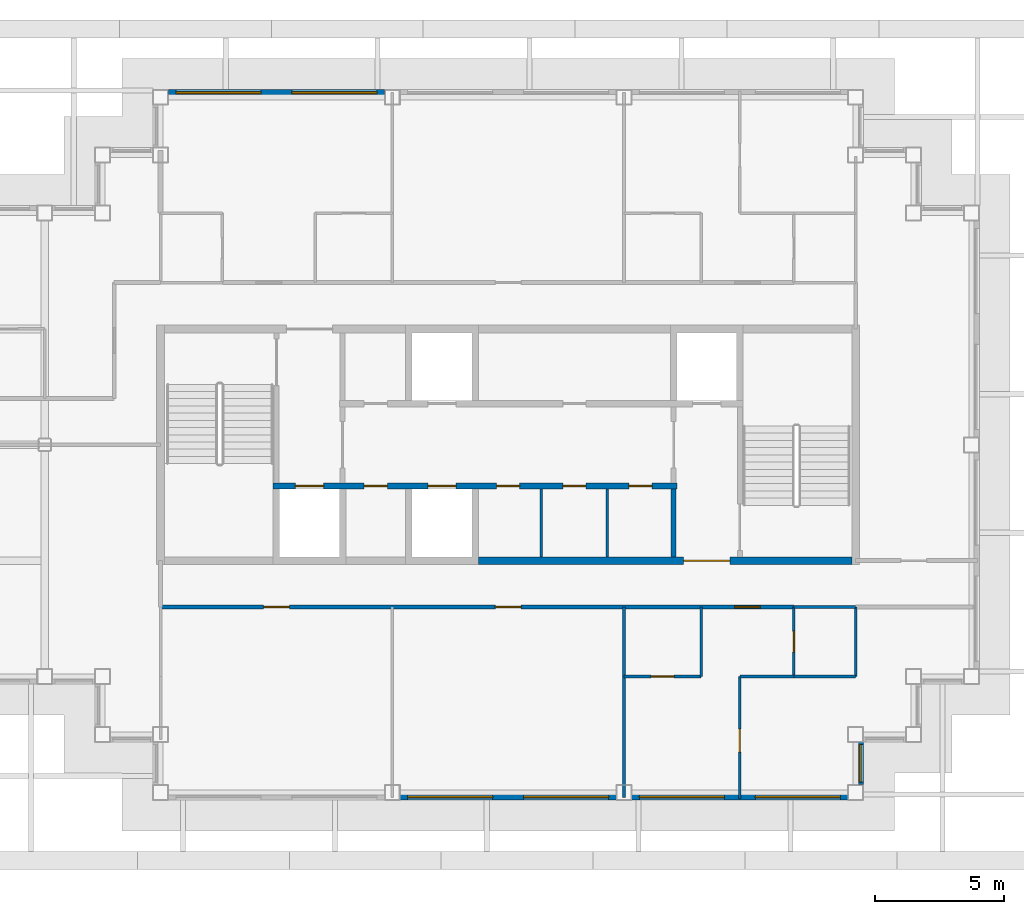
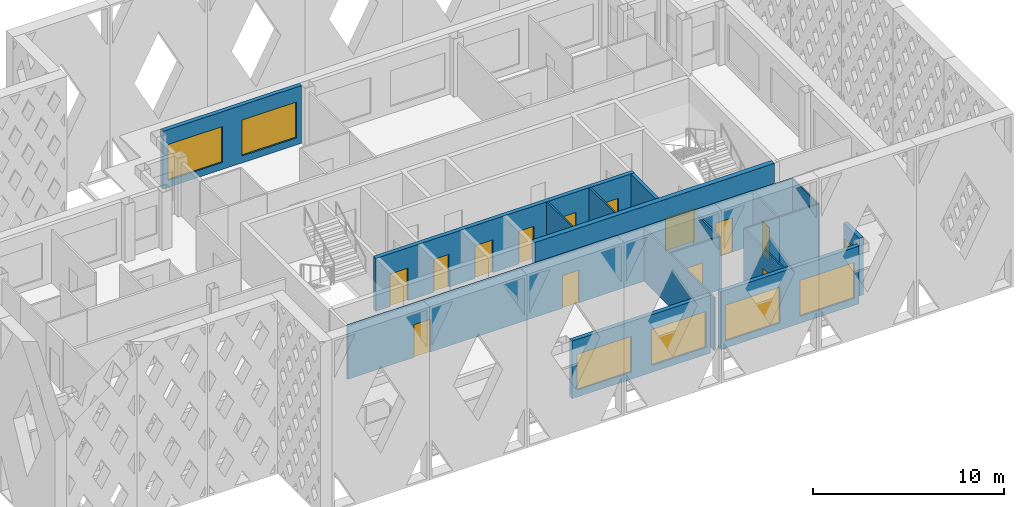
# One storey, part 4 of 13: 19 walls, 13 doors, 7 windows, 20 openings.
"""IFC4 building model written with IfcOpenShell, lengths in metres."""

from ifc_helpers import new_model, si_unit, direction, frame, frame_2d, origin, place, context, subcontext, project, spatial, rectangle, extrude, material, layer, layer_set, type_object, element, fill, save


model = new_model("IFC4")

# Units and contexts
model_context = context("Model", 3, precision=1e-05, world=origin(), true_north=direction((0.0, 1.0)))
body_context = subcontext(model_context, "Body", "Model", "MODEL_VIEW")
ifc_project = project(units=[si_unit("LENGTHUNIT", "METRE"), si_unit("AREAUNIT", "SQUARE_METRE"), si_unit("VOLUMEUNIT", "CUBIC_METRE"), si_unit("PLANEANGLEUNIT", "RADIAN"), si_unit("MASSUNIT", "GRAM", prefix="KILO")], contexts=[model_context])

# Site, building, storey
site_placement = place(None, origin())
site = spatial("IfcSite", under=ifc_project, at=site_placement, CompositionType="ELEMENT")
building_placement = place(site_placement, origin())
building = spatial("IfcBuilding", under=site, at=building_placement, Name="Caravel Reach Hotel and Residences", CompositionType="ELEMENT")
storey_placement = place(building_placement, frame((0.0, 0.0, 267.5)))
storey = spatial("IfcBuildingStorey", under=building, at=storey_placement, Name="L68", CompositionType="ELEMENT", Elevation=267.5)

# Walls
ifc_material_1 = material(Name="Gypsum board on steel stud", Category="steel")
ifc_layer_1 = layer(ifc_material_1, 0.10009765625)
ifc_layer_set_1 = layer_set([ifc_layer_1], Name="Bathroom pod wall 100 mm")
wall_type_1 = type_object("IfcWallType", Name="Bathroom pod wall 100 mm", PredefinedType="PARTITIONING", material=ifc_layer_set_1)
for number, where, z_axis, x_axis, name in (
    (1, (42.60009765625, 18.0, 0.0), (0.0, 0.0, 1.0), (1.0, 0.0, 0.0), "L68 wall w050"),
    (2, (42.60009765625, 20.699951171875, 0.0), (0.0, 0.0, 1.0), (1.0, 0.0, 0.0), "L68 wall w051"),
):
    element("IfcWall", number, at=place(storey_placement, frame(where, z_axis=z_axis, x_axis=x_axis)), inside=storey, type_object=wall_type_1, Name=name, PredefinedType="PARTITIONING", context=body_context, shape_type="SweptSolid", body=[
        extrude(rectangle(XDim=2.39990234375, YDim=0.10009765625, at=frame_2d((1.199951171875, 0.0))), origin(), (0.0, 0.0, 1.0), 3.39990234375),
    ])

# Wall, opening, door
wall_1_placement = place(storey_placement, frame((42.60009765625, 18.0, 0.0), z_axis=(0.0, 0.0, 1.0), x_axis=(0.0, 1.0, 0.0)))
wall_1 = element("IfcWall", 3, at=wall_1_placement, inside=storey, type_object=wall_type_1, Name="L68 wall w062", PredefinedType="PARTITIONING", context=body_context, shape_type="SweptSolid", body=[
    extrude(rectangle(XDim=2.699951171875, YDim=0.10009765625, at=frame_2d((1.35009765625, 0.0))), origin(), (0.0, 0.0, 1.0), 3.39990234375),
])
opening_1_placement = place(wall_1_placement, frame((0.949951171875, 0.0, 0.0)))
opening_1 = element("IfcOpeningElement", 4, at=opening_1_placement, cuts=wall_1, Name="Opening D68-034", PredefinedType="OPENING", context=body_context, shape_type="SweptSolid", body=[
    extrude(rectangle(XDim=0.800048828125, YDim=2.10009765625, at=frame_2d((0.39990234375, 1.050048828125))), frame((0.0, 0.06005859375, 0.0), z_axis=(0.0, -1.0, 0.0), x_axis=(1.0, 0.0, 0.0)), (0.0, 0.0, 1.0), 0.1201171875),
])
ifc_material_2 = material(Name="Timber and steel door leaf", Category="steel")
door_type_1 = type_object("IfcDoorType", Name="Bathroom door 800 x 2100", OperationType="SINGLE_SWING_LEFT", PredefinedType="DOOR", material=ifc_material_2)
door_1_placement = place(opening_1_placement, origin())
door_1 = element("IfcDoor", 5, at=door_1_placement, inside=storey, type_object=door_type_1, Name="door D68-034", OperationType="SINGLE_SWING_LEFT", OverallHeight=2.10009765625, OverallWidth=0.800048828125, PredefinedType="DOOR", context=body_context, shape_type="SweptSolid", body=[
    extrude(rectangle(XDim=0.800048828125, YDim=2.10009765625, at=frame_2d((0.39990234375, 1.050048828125))), frame((0.0, 0.02490234375, 0.0), z_axis=(0.0, -1.0, 0.0), x_axis=(1.0, 0.0, 0.0)), (0.0, 0.0, 1.0), 0.050048828125),
])
fill(opening_1, door_1)

# Walls
wall_2_placement = place(storey_placement, frame((45.0, 18.0, 0.0), z_axis=(0.0, 0.0, 1.0), x_axis=(0.0, 1.0, 0.0)))
element("IfcWall", 6, at=wall_2_placement, inside=storey, type_object=wall_type_1, Name="L68 wall w064", PredefinedType="PARTITIONING", context=body_context, shape_type="SweptSolid", body=[
    extrude(rectangle(XDim=2.698974609375, YDim=0.10009765625, at=frame_2d((1.349609375, 0.0))), origin(), (0.0, 0.0, 1.0), 3.39990234375),
])
ifc_material_3 = material(Name="Autoclaved aerated block wall")
ifc_layer_2 = layer(ifc_material_3, 0.199951171875)
ifc_layer_set_2 = layer_set([ifc_layer_2], Name="Compartment wall 200 mm EI 120")
wall_type_2 = type_object("IfcWallType", Name="Compartment wall 200 mm EI 120", PredefinedType="PARTITIONING", material=ifc_layer_set_2)
wall_3_placement = place(storey_placement, frame((37.928466796875, 22.64990234375, 0.0), z_axis=(0.0, 0.0, 1.0), x_axis=(0.0, 1.0, 0.0)))
element("IfcWall", 7, at=wall_3_placement, inside=storey, type_object=wall_type_2, Name="L68 store partition", PredefinedType="PARTITIONING", context=body_context, shape_type="SweptSolid", body=[
    extrude(rectangle(XDim=2.625, YDim=0.199951171875, at=frame_2d((1.3125, 0.0))), origin(), (0.0, 0.0, 1.0), 3.39990234375),
])

# Wall, opening, door
ifc_material_4 = material(Name="Concrete C60", Category="concrete")
ifc_layer_3 = layer(ifc_material_4, 0.300048828125)
ifc_layer_set_3 = layer_set([ifc_layer_3], Name="Core wall 300 mm EI 120")
wall_type_3 = type_object("IfcWallType", Name="Core wall 300 mm EI 120", PredefinedType="SHEAR", material=ifc_layer_set_3)
wall_4_placement = place(storey_placement, frame((30.33935546875, 22.5, 0.0), z_axis=(0.0, 0.0, 1.0), x_axis=(1.0, 0.0, 0.0)))
wall_4 = element("IfcWall", 8, at=wall_4_placement, inside=storey, type_object=wall_type_3, Name="L68 core wall S3", PredefinedType="SHEAR", context=body_context, shape_type="SweptSolid", body=[
    extrude(rectangle(XDim=14.5107421875, YDim=0.300048828125, at=frame_2d((7.25537109375, 0.0))), origin(), (0.0, 0.0, 1.0), 3.39990234375),
])
opening_2_placement = place(wall_4_placement, frame((7.97509765625, 0.0, 0.0)))
opening_2 = element("IfcOpeningElement", 9, at=opening_2_placement, cuts=wall_4, Name="Opening D68-016", PredefinedType="OPENING", context=body_context, shape_type="SweptSolid", body=[
    extrude(rectangle(XDim=1.800048828125, YDim=2.10009765625, at=frame_2d((0.89990234375, 1.050048828125))), frame((0.0, 0.159912109375, 0.0), z_axis=(0.0, -1.0, 0.0), x_axis=(1.0, 0.0, 0.0)), (0.0, 0.0, 1.0), 0.320068359375),
])
ifc_material_5 = material(Name="Steel fire door leaf", Category="steel")
door_type_2 = type_object("IfcDoorType", Name="Fire lobby door pair 1800 x 2100 EI 90", OperationType="DOUBLE_DOOR_SINGLE_SWING", PredefinedType="DOOR", material=ifc_material_5)
door_2_placement = place(opening_2_placement, origin())
door_2 = element("IfcDoor", 10, at=door_2_placement, inside=storey, type_object=door_type_2, Name="lobby S door pair to corridor", OperationType="DOUBLE_DOOR_SINGLE_SWING", OverallHeight=2.10009765625, OverallWidth=1.800048828125, PredefinedType="DOOR", context=body_context, shape_type="SweptSolid", body=[
    extrude(rectangle(XDim=1.800048828125, YDim=2.10009765625, at=frame_2d((0.89990234375, 1.050048828125))), frame((0.0, 0.02490234375, 0.0), z_axis=(0.0, -1.0, 0.0), x_axis=(1.0, 0.0, 0.0)), (0.0, 0.0, 1.0), 0.050048828125),
])
fill(opening_2, door_2)

# Wall, openings, doors
ifc_material_6 = material(Name="Gypsum board on steel stud, fire-rated", Category="steel")
ifc_layer_4 = layer(ifc_material_6, 0.14990234375)
ifc_layer_set_4 = layer_set([ifc_layer_4], Name="Corridor wall 150 mm EI 60")
wall_type_4 = type_object("IfcWallType", Name="Corridor wall 150 mm EI 60", PredefinedType="PARTITIONING", material=ifc_layer_set_4)
wall_5_placement = place(storey_placement, frame((18.0, 20.699951171875, 0.0), z_axis=(0.0, 0.0, 1.0), x_axis=(1.0, 0.0, 0.0)))
wall_5 = element("IfcWall", 11, at=wall_5_placement, inside=storey, type_object=wall_type_4, Name="L68 wall w001", PredefinedType="PARTITIONING", context=body_context, shape_type="SweptSolid", body=[
    extrude(rectangle(XDim=24.60009765625, YDim=0.14990234375, at=frame_2d((12.300048828125, 0.0))), origin(), (0.0, 0.0, 1.0), 3.39990234375),
])
opening_3_placement = place(wall_5_placement, frame((4.0, 0.0, 0.0)))
opening_3 = element("IfcOpeningElement", 12, at=opening_3_placement, cuts=wall_5, Name="Opening D68-030", PredefinedType="OPENING", context=body_context, shape_type="SweptSolid", body=[
    extrude(rectangle(XDim=1.0, YDim=2.10009765625, at=frame_2d((0.5, 1.050048828125))), frame((0.0, 0.0849609375, 0.0), z_axis=(0.0, -1.0, 0.0), x_axis=(1.0, 0.0, 0.0)), (0.0, 0.0, 1.0), 0.169921875),
])
opening_4_placement = place(wall_5_placement, frame((13.0, 0.0, 0.0)))
opening_4 = element("IfcOpeningElement", 13, at=opening_4_placement, cuts=wall_5, Name="Opening D68-031", PredefinedType="OPENING", context=body_context, shape_type="SweptSolid", body=[
    extrude(rectangle(XDim=1.0, YDim=2.10009765625, at=frame_2d((0.5, 1.050048828125))), frame((0.0, 0.0849609375, 0.0), z_axis=(0.0, -1.0, 0.0), x_axis=(1.0, 0.0, 0.0)), (0.0, 0.0, 1.0), 0.169921875),
])
opening_5_placement = place(wall_5_placement, frame((22.300048828125, 0.0, 0.0)))
opening_5 = element("IfcOpeningElement", 14, at=opening_5_placement, cuts=wall_5, Name="Opening D68-032", PredefinedType="OPENING", context=body_context, shape_type="SweptSolid", body=[
    extrude(rectangle(XDim=1.0, YDim=2.199951171875, at=frame_2d((0.5, 1.10009765625))), frame((0.0, 0.0849609375, 0.0), z_axis=(0.0, -1.0, 0.0), x_axis=(1.0, 0.0, 0.0)), (0.0, 0.0, 1.0), 0.169921875),
])
ifc_material_7 = material(Name="Steel fire door leaf", Category="steel")
door_type_3 = type_object("IfcDoorType", Name="Fire door 1000 x 2100 EI 60", OperationType="SINGLE_SWING_LEFT", PredefinedType="DOOR", material=ifc_material_7)
door_3_placement = place(opening_3_placement, origin())
door_3 = element("IfcDoor", 15, at=door_3_placement, inside=storey, type_object=door_type_3, Name="door D68-030", OperationType="SINGLE_SWING_LEFT", OverallHeight=2.10009765625, OverallWidth=1.0, PredefinedType="DOOR", context=body_context, shape_type="SweptSolid", body=[
    extrude(rectangle(XDim=1.0, YDim=2.10009765625, at=frame_2d((0.5, 1.050048828125))), frame((0.0, 0.02490234375, 0.0), z_axis=(0.0, -1.0, 0.0), x_axis=(1.0, 0.0, 0.0)), (0.0, 0.0, 1.0), 0.050048828125),
])
fill(opening_3, door_3)
door_4_placement = place(opening_4_placement, origin())
door_4 = element("IfcDoor", 16, at=door_4_placement, inside=storey, type_object=door_type_3, Name="door D68-031", OperationType="SINGLE_SWING_LEFT", OverallHeight=2.10009765625, OverallWidth=1.0, PredefinedType="DOOR", context=body_context, shape_type="SweptSolid", body=[
    extrude(rectangle(XDim=1.0, YDim=2.10009765625, at=frame_2d((0.5, 1.050048828125))), frame((0.0, 0.02490234375, 0.0), z_axis=(0.0, -1.0, 0.0), x_axis=(1.0, 0.0, 0.0)), (0.0, 0.0, 1.0), 0.050048828125),
])
fill(opening_4, door_4)
ifc_material_8 = material(Name="Steel fire door leaf", Category="steel")
door_type_4 = type_object("IfcDoorType", Name="Flat entrance door 1000 x 2200 EI 60", OperationType="SINGLE_SWING_LEFT", PredefinedType="DOOR", material=ifc_material_8)
door_5_placement = place(opening_5_placement, origin())
door_5 = element("IfcDoor", 17, at=door_5_placement, inside=storey, type_object=door_type_4, Name="door D68-032", OperationType="SINGLE_SWING_LEFT", OverallHeight=2.199951171875, OverallWidth=1.0, PredefinedType="DOOR", context=body_context, shape_type="SweptSolid", body=[
    extrude(rectangle(XDim=1.0, YDim=2.199951171875, at=frame_2d((0.5, 1.10009765625))), frame((0.0, 0.02490234375, 0.0), z_axis=(0.0, -1.0, 0.0), x_axis=(1.0, 0.0, 0.0)), (0.0, 0.0, 1.0), 0.050048828125),
])
fill(opening_5, door_5)

# Wall, openings, windows
ifc_material_9 = material(Name="Insulated rainscreen wall, aluminium cladding", Category="aluminium")
ifc_layer_5 = layer(ifc_material_9, 0.25)
ifc_layer_set_5 = layer_set([ifc_layer_5], Name="EW1 Tower rainscreen wall")
wall_type_5 = type_object("IfcWallType", Name="EW1 Tower rainscreen wall", PredefinedType="SOLIDWALL", material=ifc_layer_set_5)
wall_6_placement = place(storey_placement, frame((27.300048828125, 13.324951171875, 0.0), z_axis=(0.0, 0.0, 1.0), x_axis=(1.0, 0.0, 0.0)))
wall_6 = element("IfcWall", 18, at=wall_6_placement, inside=storey, type_object=wall_type_5, Name="External wall L68 S4.2", PredefinedType="SOLIDWALL", context=body_context, shape_type="SweptSolid", body=[
    extrude(rectangle(XDim=8.39990234375, YDim=0.25, at=frame_2d((4.199951171875, 0.0))), origin(), (0.0, 0.0, 1.0), 3.699951171875),
])
opening_6_placement = place(wall_6_placement, frame((0.300048828125, 0.0, 0.449951171875)))
opening_6 = element("IfcOpeningElement", 19, at=opening_6_placement, cuts=wall_6, Name="Opening WN15", PredefinedType="OPENING", context=body_context, shape_type="SweptSolid", body=[
    extrude(rectangle(XDim=3.300048828125, YDim=2.300048828125, at=frame_2d((1.64990234375, 1.14990234375))), frame((0.0, 0.135009765625, 0.0), z_axis=(0.0, -1.0, 0.0), x_axis=(1.0, 0.0, 0.0)), (0.0, 0.0, 1.0), 0.27001953125),
])
opening_7_placement = place(wall_6_placement, frame((4.800048828125, 0.0, 0.449951171875)))
opening_7 = element("IfcOpeningElement", 20, at=opening_7_placement, cuts=wall_6, Name="Opening WN15", PredefinedType="OPENING", context=body_context, shape_type="SweptSolid", body=[
    extrude(rectangle(XDim=3.300048828125, YDim=2.300048828125, at=frame_2d((1.64990234375, 1.14990234375))), frame((0.0, 0.135009765625, 0.0), z_axis=(0.0, -1.0, 0.0), x_axis=(1.0, 0.0, 0.0)), (0.0, 0.0, 1.0), 0.27001953125),
])
ifc_material_10 = material(Name="Dark low-e glazing in black aluminium frame", Category="aluminium")
window_type_1 = type_object("IfcWindowType", Name="Residence living window 3300 x 2300", PartitioningType="SINGLE_PANEL", PredefinedType="WINDOW", material=ifc_material_10)
window_1_placement = place(opening_6_placement, origin())
window_1 = element("IfcWindow", 21, at=window_1_placement, inside=storey, type_object=window_type_1, Name="Window L68 S4.2.1", OverallHeight=2.300048828125, OverallWidth=3.300048828125, PartitioningType="SINGLE_PANEL", PredefinedType="WINDOW", context=body_context, shape_type="SweptSolid", body=[
    extrude(rectangle(XDim=3.300048828125, YDim=2.300048828125, at=frame_2d((1.64990234375, 1.14990234375))), frame((0.0, 0.030029296875, 0.0), z_axis=(0.0, -1.0, 0.0), x_axis=(1.0, 0.0, 0.0)), (0.0, 0.0, 1.0), 0.06005859375),
])
fill(opening_6, window_1)
window_2_placement = place(opening_7_placement, origin())
window_2 = element("IfcWindow", 22, at=window_2_placement, inside=storey, type_object=window_type_1, Name="Window L68 S4.2.2", OverallHeight=2.300048828125, OverallWidth=3.300048828125, PartitioningType="SINGLE_PANEL", PredefinedType="WINDOW", context=body_context, shape_type="SweptSolid", body=[
    extrude(rectangle(XDim=3.300048828125, YDim=2.300048828125, at=frame_2d((1.64990234375, 1.14990234375))), frame((0.0, 0.030029296875, 0.0), z_axis=(0.0, -1.0, 0.0), x_axis=(1.0, 0.0, 0.0)), (0.0, 0.0, 1.0), 0.06005859375),
])
fill(opening_7, window_2)

wall_7_placement = place(storey_placement, frame((36.300048828125, 13.324951171875, 0.0), z_axis=(0.0, 0.0, 1.0), x_axis=(1.0, 0.0, 0.0)))
wall_7 = element("IfcWall", 23, at=wall_7_placement, inside=storey, type_object=wall_type_5, Name="External wall L68 S4.3", PredefinedType="SOLIDWALL", context=body_context, shape_type="SweptSolid", body=[
    extrude(rectangle(XDim=8.39990234375, YDim=0.25, at=frame_2d((4.199951171875, 0.0))), origin(), (0.0, 0.0, 1.0), 3.699951171875),
])
opening_8_placement = place(wall_7_placement, frame((0.300048828125, 0.0, 0.449951171875)))
opening_8 = element("IfcOpeningElement", 24, at=opening_8_placement, cuts=wall_7, Name="Opening WN15", PredefinedType="OPENING", context=body_context, shape_type="SweptSolid", body=[
    extrude(rectangle(XDim=3.300048828125, YDim=2.300048828125, at=frame_2d((1.64990234375, 1.14990234375))), frame((0.0, 0.135009765625, 0.0), z_axis=(0.0, -1.0, 0.0), x_axis=(1.0, 0.0, 0.0)), (0.0, 0.0, 1.0), 0.27001953125),
])
opening_9_placement = place(wall_7_placement, frame((4.800048828125, 0.0, 0.449951171875)))
opening_9 = element("IfcOpeningElement", 25, at=opening_9_placement, cuts=wall_7, Name="Opening WN15", PredefinedType="OPENING", context=body_context, shape_type="SweptSolid", body=[
    extrude(rectangle(XDim=3.300048828125, YDim=2.300048828125, at=frame_2d((1.64990234375, 1.14990234375))), frame((0.0, 0.135009765625, 0.0), z_axis=(0.0, -1.0, 0.0), x_axis=(1.0, 0.0, 0.0)), (0.0, 0.0, 1.0), 0.27001953125),
])
window_3_placement = place(opening_8_placement, origin())
window_3 = element("IfcWindow", 26, at=window_3_placement, inside=storey, type_object=window_type_1, Name="Window L68 S4.3.1", OverallHeight=2.300048828125, OverallWidth=3.300048828125, PartitioningType="SINGLE_PANEL", PredefinedType="WINDOW", context=body_context, shape_type="SweptSolid", body=[
    extrude(rectangle(XDim=3.300048828125, YDim=2.300048828125, at=frame_2d((1.64990234375, 1.14990234375))), frame((0.0, 0.030029296875, 0.0), z_axis=(0.0, -1.0, 0.0), x_axis=(1.0, 0.0, 0.0)), (0.0, 0.0, 1.0), 0.06005859375),
])
fill(opening_8, window_3)
window_4_placement = place(opening_9_placement, origin())
window_4 = element("IfcWindow", 27, at=window_4_placement, inside=storey, type_object=window_type_1, Name="Window L68 S4.3.2", OverallHeight=2.300048828125, OverallWidth=3.300048828125, PartitioningType="SINGLE_PANEL", PredefinedType="WINDOW", context=body_context, shape_type="SweptSolid", body=[
    extrude(rectangle(XDim=3.300048828125, YDim=2.300048828125, at=frame_2d((1.64990234375, 1.14990234375))), frame((0.0, 0.030029296875, 0.0), z_axis=(0.0, -1.0, 0.0), x_axis=(1.0, 0.0, 0.0)), (0.0, 0.0, 1.0), 0.06005859375),
])
fill(opening_9, window_4)

# Wall, opening, window
wall_8_placement = place(storey_placement, frame((45.175048828125, 13.800048828125, 0.0), z_axis=(0.0, 0.0, 1.0), x_axis=(0.0, 1.0, 0.0)))
wall_8 = element("IfcWall", 28, at=wall_8_placement, inside=storey, type_object=wall_type_5, Name="External wall L68 E5.1", PredefinedType="SOLIDWALL", context=body_context, shape_type="SweptSolid", body=[
    extrude(rectangle(XDim=1.64990234375, YDim=0.25, at=frame_2d((0.824951171875, 0.0))), origin(), (0.0, 0.0, 1.0), 3.699951171875),
])
opening_10_placement = place(wall_8_placement, frame((0.10009765625, 0.0, 0.89990234375)))
opening_10 = element("IfcOpeningElement", 29, at=opening_10_placement, cuts=wall_8, Name="Opening WN25", PredefinedType="OPENING", context=body_context, shape_type="SweptSolid", body=[
    extrude(rectangle(XDim=1.449951171875, YDim=1.85009765625, at=frame_2d((0.72509765625, 0.925048828125))), frame((0.0, 0.135009765625, 0.0), z_axis=(0.0, -1.0, 0.0), x_axis=(1.0, 0.0, 0.0)), (0.0, 0.0, 1.0), 0.27001953125),
])
ifc_material_11 = material(Name="Dark low-e glazing in black aluminium frame", Category="aluminium")
window_type_2 = type_object("IfcWindowType", Name="Residence bedroom window 1450 x 1850", PartitioningType="SINGLE_PANEL", PredefinedType="WINDOW", material=ifc_material_11)
window_5_placement = place(opening_10_placement, origin())
window_5 = element("IfcWindow", 30, at=window_5_placement, inside=storey, type_object=window_type_2, Name="Window L68 E5.1.1", OverallHeight=1.85009765625, OverallWidth=1.449951171875, PartitioningType="SINGLE_PANEL", PredefinedType="WINDOW", context=body_context, shape_type="SweptSolid", body=[
    extrude(rectangle(XDim=1.449951171875, YDim=1.85009765625, at=frame_2d((0.72509765625, 0.925048828125))), frame((0.0, 0.030029296875, 0.0), z_axis=(0.0, -1.0, 0.0), x_axis=(1.0, 0.0, 0.0)), (0.0, 0.0, 1.0), 0.06005859375),
])
fill(opening_10, window_5)

# Wall, openings, windows
wall_9_placement = place(storey_placement, frame((26.699951171875, 40.675048828125, 0.0), z_axis=(0.0, 0.0, 1.0), x_axis=(-1.0, 0.0, 0.0)))
wall_9 = element("IfcWall", 31, at=wall_9_placement, inside=storey, type_object=wall_type_5, Name="External wall L68 N14.3", PredefinedType="SOLIDWALL", context=body_context, shape_type="SweptSolid", body=[
    extrude(rectangle(XDim=8.39990234375, YDim=0.25, at=frame_2d((4.199951171875, 0.0))), origin(), (0.0, 0.0, 1.0), 3.699951171875),
])
opening_11_placement = place(wall_9_placement, frame((0.300048828125, 0.0, 0.449951171875)))
opening_11 = element("IfcOpeningElement", 32, at=opening_11_placement, cuts=wall_9, Name="Opening WN15", PredefinedType="OPENING", context=body_context, shape_type="SweptSolid", body=[
    extrude(rectangle(XDim=3.300048828125, YDim=2.300048828125, at=frame_2d((1.64990234375, 1.14990234375))), frame((0.0, 0.135009765625, 0.0), z_axis=(0.0, -1.0, 0.0), x_axis=(1.0, 0.0, 0.0)), (0.0, 0.0, 1.0), 0.27001953125),
])
opening_12_placement = place(wall_9_placement, frame((4.800048828125, 0.0, 0.449951171875)))
opening_12 = element("IfcOpeningElement", 33, at=opening_12_placement, cuts=wall_9, Name="Opening WN15", PredefinedType="OPENING", context=body_context, shape_type="SweptSolid", body=[
    extrude(rectangle(XDim=3.300048828125, YDim=2.300048828125, at=frame_2d((1.64990234375, 1.14990234375))), frame((0.0, 0.135009765625, 0.0), z_axis=(0.0, -1.0, 0.0), x_axis=(1.0, 0.0, 0.0)), (0.0, 0.0, 1.0), 0.27001953125),
])
window_6_placement = place(opening_11_placement, origin())
window_6 = element("IfcWindow", 34, at=window_6_placement, inside=storey, type_object=window_type_1, Name="Window L68 N14.3.1", OverallHeight=2.300048828125, OverallWidth=3.300048828125, PartitioningType="SINGLE_PANEL", PredefinedType="WINDOW", context=body_context, shape_type="SweptSolid", body=[
    extrude(rectangle(XDim=3.300048828125, YDim=2.300048828125, at=frame_2d((1.64990234375, 1.14990234375))), frame((0.0, 0.030029296875, 0.0), z_axis=(0.0, -1.0, 0.0), x_axis=(1.0, 0.0, 0.0)), (0.0, 0.0, 1.0), 0.06005859375),
])
fill(opening_11, window_6)
window_7_placement = place(opening_12_placement, origin())
window_7 = element("IfcWindow", 35, at=window_7_placement, inside=storey, type_object=window_type_1, Name="Window L68 N14.3.2", OverallHeight=2.300048828125, OverallWidth=3.300048828125, PartitioningType="SINGLE_PANEL", PredefinedType="WINDOW", context=body_context, shape_type="SweptSolid", body=[
    extrude(rectangle(XDim=3.300048828125, YDim=2.300048828125, at=frame_2d((1.64990234375, 1.14990234375))), frame((0.0, 0.030029296875, 0.0), z_axis=(0.0, -1.0, 0.0), x_axis=(1.0, 0.0, 0.0)), (0.0, 0.0, 1.0), 0.06005859375),
])
fill(opening_12, window_7)

# Walls
ifc_material_12 = material(Name="Gypsum board on steel stud", Category="steel")
ifc_layer_6 = layer(ifc_material_12, 0.10009765625)
ifc_layer_set_6 = layer_set([ifc_layer_6], Name="Partition 100 mm")
wall_type_6 = type_object("IfcWallType", Name="Partition 100 mm", PredefinedType="PARTITIONING", material=ifc_layer_set_6)
for number, where, z_axis, x_axis, name in (
    (36, (32.78564453125, 22.64990234375, 0.0), (0.0, 0.0, 1.0), (0.0, 1.0, 0.0), "L68 store partition"),
    (37, (35.357177734375, 22.64990234375, 0.0), (0.0, 0.0, 1.0), (0.0, 1.0, 0.0), "L68 store partition"),
):
    element("IfcWall", number, at=place(storey_placement, frame(where, z_axis=z_axis, x_axis=x_axis)), inside=storey, type_object=wall_type_6, Name=name, PredefinedType="PARTITIONING", context=body_context, shape_type="SweptSolid", body=[
        extrude(rectangle(XDim=2.625, YDim=0.10009765625, at=frame_2d((1.3125, 0.0))), origin(), (0.0, 0.0, 1.0), 3.39990234375),
    ])
wall_10_placement = place(storey_placement, frame((40.5, 18.0, 0.0), z_axis=(0.0, 0.0, 1.0), x_axis=(1.0, 0.0, 0.0)))
element("IfcWall", 38, at=wall_10_placement, inside=storey, type_object=wall_type_6, Name="L68 wall w021", PredefinedType="PARTITIONING", context=body_context, shape_type="SweptSolid", body=[
    extrude(rectangle(XDim=2.10009765625, YDim=0.10009765625, at=frame_2d((1.050048828125, 0.0))), origin(), (0.0, 0.0, 1.0), 3.39990234375),
])

# Wall, opening, door
wall_11_placement = place(storey_placement, frame((36.0, 18.0, 0.0), z_axis=(0.0, 0.0, 1.0), x_axis=(1.0, 0.0, 0.0)))
wall_11 = element("IfcWall", 39, at=wall_11_placement, inside=storey, type_object=wall_type_6, Name="L68 wall w022", PredefinedType="PARTITIONING", context=body_context, shape_type="SweptSolid", body=[
    extrude(rectangle(XDim=3.0, YDim=0.10009765625, at=frame_2d((1.5, 0.0))), origin(), (0.0, 0.0, 1.0), 3.39990234375),
])
opening_13_placement = place(wall_11_placement, frame((1.050048828125, 0.0, 0.0)))
opening_13 = element("IfcOpeningElement", 40, at=opening_13_placement, cuts=wall_11, Name="Opening D68-033", PredefinedType="OPENING", context=body_context, shape_type="SweptSolid", body=[
    extrude(rectangle(XDim=0.89990234375, YDim=2.10009765625, at=frame_2d((0.449951171875, 1.050048828125))), frame((0.0, 0.06005859375, 0.0), z_axis=(0.0, -1.0, 0.0), x_axis=(1.0, 0.0, 0.0)), (0.0, 0.0, 1.0), 0.1201171875),
])
ifc_material_13 = material(Name="Timber and steel door leaf", Category="steel")
door_type_5 = type_object("IfcDoorType", Name="Door 900 x 2100 timber", OperationType="SINGLE_SWING_LEFT", PredefinedType="DOOR", material=ifc_material_13)
door_6_placement = place(opening_13_placement, origin())
door_6 = element("IfcDoor", 41, at=door_6_placement, inside=storey, type_object=door_type_5, Name="door D68-033", OperationType="SINGLE_SWING_RIGHT", OverallHeight=2.10009765625, OverallWidth=0.89990234375, PredefinedType="DOOR", context=body_context, shape_type="SweptSolid", body=[
    extrude(rectangle(XDim=0.89990234375, YDim=2.10009765625, at=frame_2d((0.449951171875, 1.050048828125))), frame((0.0, 0.02490234375, 0.0), z_axis=(0.0, -1.0, 0.0), x_axis=(1.0, 0.0, 0.0)), (0.0, 0.0, 1.0), 0.050048828125),
])
fill(opening_13, door_6)

# Walls
wall_12_placement = place(storey_placement, frame((36.0, 13.31005859375, 0.0), z_axis=(0.0, 0.0, 1.0), x_axis=(0.0, 1.0, 0.0)))
element("IfcWall", 42, at=wall_12_placement, inside=storey, type_object=wall_type_6, Name="L68 wall w039", PredefinedType="PARTITIONING", context=body_context, shape_type="SweptSolid", body=[
    extrude(rectangle(XDim=7.389892578125, YDim=0.10009765625, at=frame_2d((3.69482421875, 0.0))), origin(), (0.0, 0.0, 1.0), 3.39990234375),
])
wall_13_placement = place(storey_placement, frame((39.0, 18.0, 0.0), z_axis=(0.0, 0.0, 1.0), x_axis=(0.0, 1.0, 0.0)))
element("IfcWall", 43, at=wall_13_placement, inside=storey, type_object=wall_type_6, Name="L68 wall w042", PredefinedType="PARTITIONING", context=body_context, shape_type="SweptSolid", body=[
    extrude(rectangle(XDim=2.699951171875, YDim=0.10009765625, at=frame_2d((1.35009765625, 0.0))), origin(), (0.0, 0.0, 1.0), 3.39990234375),
])

# Wall, opening, door
wall_14_placement = place(storey_placement, frame((40.5, 13.260009765625, 0.0), z_axis=(0.0, 0.0, 1.0), x_axis=(0.0, 1.0, 0.0)))
wall_14 = element("IfcWall", 44, at=wall_14_placement, inside=storey, type_object=wall_type_6, Name="L68 wall w046", PredefinedType="PARTITIONING", context=body_context, shape_type="SweptSolid", body=[
    extrude(rectangle(XDim=4.739990234375, YDim=0.10009765625, at=frame_2d((2.3701171875, 0.0))), origin(), (0.0, 0.0, 1.0), 3.39990234375),
])
opening_14_placement = place(wall_14_placement, frame((1.800048828125, 0.0, 0.0)))
opening_14 = element("IfcOpeningElement", 45, at=opening_14_placement, cuts=wall_14, Name="Opening D68-035", PredefinedType="OPENING", context=body_context, shape_type="SweptSolid", body=[
    extrude(rectangle(XDim=0.89990234375, YDim=2.10009765625, at=frame_2d((0.449951171875, 1.050048828125))), frame((0.0, 0.06005859375, 0.0), z_axis=(0.0, -1.0, 0.0), x_axis=(1.0, 0.0, 0.0)), (0.0, 0.0, 1.0), 0.1201171875),
])
door_7_placement = place(opening_14_placement, origin())
door_7 = element("IfcDoor", 46, at=door_7_placement, inside=storey, type_object=door_type_5, Name="door D68-035", OperationType="SINGLE_SWING_LEFT", OverallHeight=2.10009765625, OverallWidth=0.89990234375, PredefinedType="DOOR", context=body_context, shape_type="SweptSolid", body=[
    extrude(rectangle(XDim=0.89990234375, YDim=2.10009765625, at=frame_2d((0.449951171875, 1.050048828125))), frame((0.0, 0.02490234375, 0.0), z_axis=(0.0, -1.0, 0.0), x_axis=(1.0, 0.0, 0.0)), (0.0, 0.0, 1.0), 0.050048828125),
])
fill(opening_14, door_7)

# Wall, openings, doors
ifc_material_14 = material(Name="Concrete C60", Category="concrete")
ifc_layer_7 = layer(ifc_material_14, 0.25)
ifc_layer_set_7 = layer_set([ifc_layer_7], Name="Shaft wall 250 mm EI 120")
wall_type_7 = type_object("IfcWallType", Name="Shaft wall 250 mm EI 120", PredefinedType="SHEAR", material=ifc_layer_set_7)
wall_15_placement = place(storey_placement, frame((22.375, 25.39990234375, 0.0), z_axis=(0.0, 0.0, 1.0), x_axis=(1.0, 0.0, 0.0)))
wall_15 = element("IfcWall", 47, at=wall_15_placement, inside=storey, type_object=wall_type_7, Name="L68 lobby wall S1", PredefinedType="SHEAR", context=body_context, shape_type="SweptSolid", body=[
    extrude(rectangle(XDim=15.678466796875, YDim=0.25, at=frame_2d((7.83935546875, 0.0))), origin(), (0.0, 0.0, 1.0), 3.39990234375),
])
opening_15_placement = place(wall_15_placement, frame((6.003662109375, 0.0, 0.0)))
opening_15 = element("IfcOpeningElement", 48, at=opening_15_placement, cuts=wall_15, Name="Opening D68-001", PredefinedType="OPENING", context=body_context, shape_type="SweptSolid", body=[
    extrude(rectangle(XDim=1.10009765625, YDim=2.10009765625, at=frame_2d((0.550048828125, 1.050048828125))), frame((0.0, 0.135009765625, 0.0), z_axis=(0.0, -1.0, 0.0), x_axis=(1.0, 0.0, 0.0)), (0.0, 0.0, 1.0), 0.27001953125),
])
opening_16_placement = place(wall_15_placement, frame((0.860595703125, 0.0, 0.0)))
opening_16 = element("IfcOpeningElement", 49, at=opening_16_placement, cuts=wall_15, Name="Opening D68-003", PredefinedType="OPENING", context=body_context, shape_type="SweptSolid", body=[
    extrude(rectangle(XDim=1.10009765625, YDim=2.10009765625, at=frame_2d((0.550048828125, 1.050048828125))), frame((0.0, 0.135009765625, 0.0), z_axis=(0.0, -1.0, 0.0), x_axis=(1.0, 0.0, 0.0)), (0.0, 0.0, 1.0), 0.27001953125),
])
opening_17_placement = place(wall_15_placement, frame((3.531982421875, 0.0, 0.0)))
opening_17 = element("IfcOpeningElement", 50, at=opening_17_placement, cuts=wall_15, Name="Opening D68-005", PredefinedType="OPENING", context=body_context, shape_type="SweptSolid", body=[
    extrude(rectangle(XDim=0.89990234375, YDim=2.10009765625, at=frame_2d((0.449951171875, 1.050048828125))), frame((0.0, 0.135009765625, 0.0), z_axis=(0.0, -1.0, 0.0), x_axis=(1.0, 0.0, 0.0)), (0.0, 0.0, 1.0), 0.27001953125),
])
opening_18_placement = place(wall_15_placement, frame((8.675048828125, 0.0, 0.0)))
opening_18 = element("IfcOpeningElement", 51, at=opening_18_placement, cuts=wall_15, Name="Opening D68-006", PredefinedType="OPENING", context=body_context, shape_type="SweptSolid", body=[
    extrude(rectangle(XDim=0.89990234375, YDim=2.10009765625, at=frame_2d((0.449951171875, 1.050048828125))), frame((0.0, 0.135009765625, 0.0), z_axis=(0.0, -1.0, 0.0), x_axis=(1.0, 0.0, 0.0)), (0.0, 0.0, 1.0), 0.27001953125),
])
opening_19_placement = place(wall_15_placement, frame((11.246337890625, 0.0, 0.0)))
opening_19 = element("IfcOpeningElement", 52, at=opening_19_placement, cuts=wall_15, Name="Opening D68-007", PredefinedType="OPENING", context=body_context, shape_type="SweptSolid", body=[
    extrude(rectangle(XDim=0.89990234375, YDim=2.10009765625, at=frame_2d((0.449951171875, 1.050048828125))), frame((0.0, 0.135009765625, 0.0), z_axis=(0.0, -1.0, 0.0), x_axis=(1.0, 0.0, 0.0)), (0.0, 0.0, 1.0), 0.27001953125),
])
opening_20_placement = place(wall_15_placement, frame((13.81787109375, 0.0, 0.0)))
opening_20 = element("IfcOpeningElement", 53, at=opening_20_placement, cuts=wall_15, Name="Opening D68-008", PredefinedType="OPENING", context=body_context, shape_type="SweptSolid", body=[
    extrude(rectangle(XDim=0.89990234375, YDim=2.10009765625, at=frame_2d((0.449951171875, 1.050048828125))), frame((0.0, 0.135009765625, 0.0), z_axis=(0.0, -1.0, 0.0), x_axis=(1.0, 0.0, 0.0)), (0.0, 0.0, 1.0), 0.27001953125),
])
ifc_material_15 = material(Name="Stainless steel landing door", Category="steel")
door_type_6 = type_object("IfcDoorType", Name="Landing door LD 1100 x 2100 sliding", OperationType="DOUBLE_DOOR_SLIDING", PredefinedType="DOOR", material=ifc_material_15)
door_8_placement = place(opening_15_placement, origin())
door_8 = element("IfcDoor", 54, at=door_8_placement, inside=storey, type_object=door_type_6, Name="HP1 landing door", OperationType="DOUBLE_DOOR_SLIDING", OverallHeight=2.10009765625, OverallWidth=1.10009765625, PredefinedType="DOOR", context=body_context, shape_type="SweptSolid", body=[
    extrude(rectangle(XDim=1.10009765625, YDim=2.10009765625, at=frame_2d((0.550048828125, 1.050048828125))), frame((0.0, 0.02490234375, 0.0), z_axis=(0.0, -1.0, 0.0), x_axis=(1.0, 0.0, 0.0)), (0.0, 0.0, 1.0), 0.050048828125),
])
fill(opening_15, door_8)
door_9_placement = place(opening_16_placement, origin())
door_9 = element("IfcDoor", 55, at=door_9_placement, inside=storey, type_object=door_type_6, Name="FL1 landing door", OperationType="DOUBLE_DOOR_SLIDING", OverallHeight=2.10009765625, OverallWidth=1.10009765625, PredefinedType="DOOR", context=body_context, shape_type="SweptSolid", body=[
    extrude(rectangle(XDim=1.10009765625, YDim=2.10009765625, at=frame_2d((0.550048828125, 1.050048828125))), frame((0.0, 0.02490234375, 0.0), z_axis=(0.0, -1.0, 0.0), x_axis=(1.0, 0.0, 0.0)), (0.0, 0.0, 1.0), 0.050048828125),
])
fill(opening_16, door_9)
ifc_material_16 = material(Name="Steel fire door leaf", Category="steel")
door_type_7 = type_object("IfcDoorType", Name="Riser door 900 x 2100 EI 60", OperationType="SINGLE_SWING_LEFT", PredefinedType="DOOR", material=ifc_material_16)
door_10_placement = place(opening_17_placement, origin())
door_10 = element("IfcDoor", 56, at=door_10_placement, inside=storey, type_object=door_type_7, Name="Water tank room door", OperationType="SINGLE_SWING_LEFT", OverallHeight=2.10009765625, OverallWidth=0.89990234375, PredefinedType="DOOR", context=body_context, shape_type="SweptSolid", body=[
    extrude(rectangle(XDim=0.89990234375, YDim=2.10009765625, at=frame_2d((0.449951171875, 1.050048828125))), frame((0.0, 0.02490234375, 0.0), z_axis=(0.0, -1.0, 0.0), x_axis=(1.0, 0.0, 0.0)), (0.0, 0.0, 1.0), 0.050048828125),
])
fill(opening_17, door_10)
door_11_placement = place(opening_18_placement, origin())
door_11 = element("IfcDoor", 57, at=door_11_placement, inside=storey, type_object=door_type_7, Name="Telecom room door", OperationType="SINGLE_SWING_LEFT", OverallHeight=2.10009765625, OverallWidth=0.89990234375, PredefinedType="DOOR", context=body_context, shape_type="SweptSolid", body=[
    extrude(rectangle(XDim=0.89990234375, YDim=2.10009765625, at=frame_2d((0.449951171875, 1.050048828125))), frame((0.0, 0.02490234375, 0.0), z_axis=(0.0, -1.0, 0.0), x_axis=(1.0, 0.0, 0.0)), (0.0, 0.0, 1.0), 0.050048828125),
])
fill(opening_18, door_11)
door_12_placement = place(opening_19_placement, origin())
door_12 = element("IfcDoor", 58, at=door_12_placement, inside=storey, type_object=door_type_7, Name="Recycling store door", OperationType="SINGLE_SWING_LEFT", OverallHeight=2.10009765625, OverallWidth=0.89990234375, PredefinedType="DOOR", context=body_context, shape_type="SweptSolid", body=[
    extrude(rectangle(XDim=0.89990234375, YDim=2.10009765625, at=frame_2d((0.449951171875, 1.050048828125))), frame((0.0, 0.02490234375, 0.0), z_axis=(0.0, -1.0, 0.0), x_axis=(1.0, 0.0, 0.0)), (0.0, 0.0, 1.0), 0.050048828125),
])
fill(opening_19, door_12)
door_13_placement = place(opening_20_placement, origin())
door_13 = element("IfcDoor", 59, at=door_13_placement, inside=storey, type_object=door_type_7, Name="Residents' store door", OperationType="SINGLE_SWING_LEFT", OverallHeight=2.10009765625, OverallWidth=0.89990234375, PredefinedType="DOOR", context=body_context, shape_type="SweptSolid", body=[
    extrude(rectangle(XDim=0.89990234375, YDim=2.10009765625, at=frame_2d((0.449951171875, 1.050048828125))), frame((0.0, 0.02490234375, 0.0), z_axis=(0.0, -1.0, 0.0), x_axis=(1.0, 0.0, 0.0)), (0.0, 0.0, 1.0), 0.050048828125),
])
fill(opening_20, door_13)

save(model, "model.ifc")
